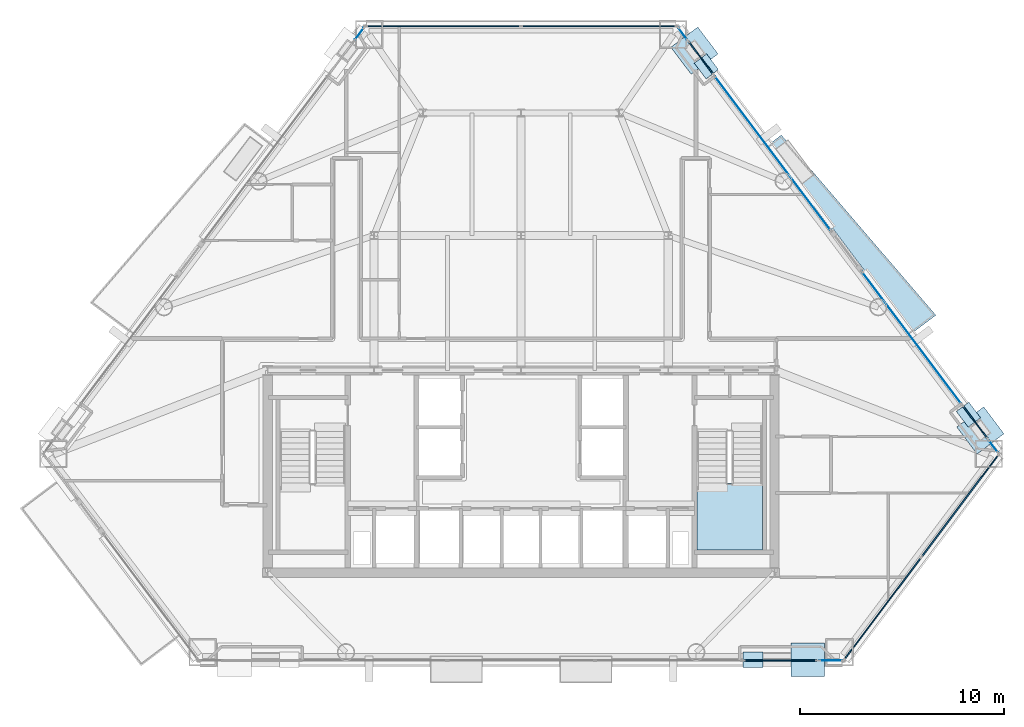
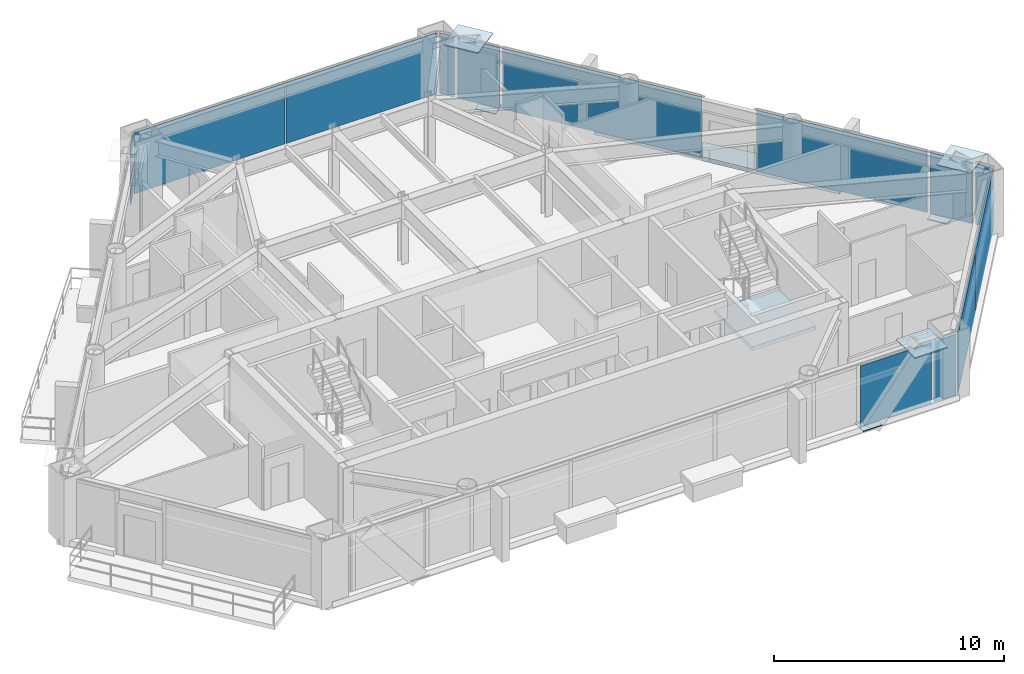
# One storey, part 8 of 14: 19 plates, 2 slabs, 12 elements without a shape of their own.
"""IFC4 building model written with IfcOpenShell, lengths in metres."""

from ifc_helpers import new_model, si_unit, direction, frame, origin, origin_2d, place, context, subcontext, project, spatial, polyline, rectangle, outline, extrude, source, transform, mapped, material, layer, layer_set, type_object, type_shapes, element, aggregate, save


model = new_model("IFC4")

# Units and contexts
model_context = context("Model", 3, precision=1e-05, world=origin(), true_north=direction((0.0, 1.0)))
body_context = subcontext(model_context, "Body", "Model", "MODEL_VIEW")
ifc_project = project(units=[si_unit("LENGTHUNIT", "METRE"), si_unit("AREAUNIT", "SQUARE_METRE"), si_unit("VOLUMEUNIT", "CUBIC_METRE"), si_unit("PLANEANGLEUNIT", "RADIAN"), si_unit("MASSUNIT", "GRAM", prefix="KILO")], contexts=[model_context])

# Site, building, storey
site_placement = place(None, origin())
site = spatial("IfcSite", under=ifc_project, at=site_placement, CompositionType="ELEMENT")
building_placement = place(site_placement, origin())
building = spatial("IfcBuilding", under=site, at=building_placement, Name="Talgorran Terracotta Tower", CompositionType="ELEMENT")
storey_placement = place(building_placement, frame((0.0, 0.0, 53.10009765625)))
storey = spatial("IfcBuildingStorey", under=building, at=storey_placement, Name="L13", CompositionType="ELEMENT", Elevation=53.10009765625)

# Plates
ifc_material_1 = material(Name="Steel Grade 350 (350L0)", Category="steel")
ifc_layer_1 = layer(ifc_material_1, 0.0400390625, Name="PL_CAP_MN05")
ifc_layer_set_1 = layer_set([ifc_layer_1], Name="Steel Grade 350 (350L0)")
plate_type_1 = type_object("IfcPlateType", Name="PL_CAP_MN05", PredefinedType="USERDEFINED", material=ifc_layer_set_1)
for number, where, z_axis, x_axis, name in (
    (1, (11.3466796875, -18.35107421875, -0.010009765625), (0.0, 0.0, 1.0), (1.0, 0.0, 0.0), "L13 Diagonal Frame End Cap SEF Bot"),
    (2, (21.889892578125, -6.365478515625, -0.010009765625), (0.0, 0.0, 1.0), (0.6013967761, -0.798950510167, 0.0), "L13 Diagonal Frame End Cap NEL Bot"),
    (3, (9.0634765625, 10.67236328125, -0.010009765625), (0.0, 0.0, 1.0), (-0.6013967761, 0.798950510167, 0.0), "L13 Diagonal Frame End Cap NEU Bot"),
):
    element("IfcPlate", number, at=place(storey_placement, frame(where, z_axis=z_axis, x_axis=x_axis)), inside=storey, type_object=plate_type_1, Name=name, ObjectType="CAP PLATE", PredefinedType="USERDEFINED", context=body_context, shape_type="SweptSolid", body=[
        extrude(rectangle(XDim=0.9599609375, YDim=0.760009765625, at=origin_2d()), origin(), (0.0, 0.0, 1.0), 0.0400390625),
    ])
ifc_layer_2 = layer(ifc_material_1, 0.06005859375, Name="PL_NODE_MN01")
ifc_layer_set_2 = layer_set([ifc_layer_2], Name="Steel Grade 350 (350L0)")
plate_type_2 = type_object("IfcPlateType", Name="PL_NODE_MN01", PredefinedType="USERDEFINED", material=ifc_layer_set_2)
for number, where, z_axis, x_axis, name in (
    (4, (14.025634765625, -18.35107421875, 3.309814453125), (0.0, 0.0, 1.0), (1.0, 0.0, 0.0), "L13 Diagonal Frame End Cap SEF Top"),
    (5, (22.471435546875, -7.13818359375, 3.309814453125), (0.0, 0.0, 1.0), (0.6013967761, -0.798950510167, 0.0), "L13 Diagonal Frame End Cap NEL Top"),
    (6, (8.481689453125, 11.44482421875, 3.309814453125), (0.0, 0.0, 1.0), (-0.6013967761, 0.798950510167, 0.0), "L13 Diagonal Frame End Cap NEU Top"),
):
    element("IfcPlate", number, at=place(storey_placement, frame(where, z_axis=z_axis, x_axis=x_axis)), inside=storey, type_object=plate_type_2, Name=name, ObjectType="NODE PLATE", PredefinedType="USERDEFINED", context=body_context, shape_type="SweptSolid", body=[
        extrude(rectangle(XDim=1.64990234375, YDim=1.64990234375, at=origin_2d()), origin(), (0.0, 0.0, 1.0), 0.06005859375),
    ])

# Slab
ifc_material_2 = material(Name="Concrete C40/50", Category="concrete")
ifc_layer_3 = layer(ifc_material_2, 0.219970703125, Name="SL_BALCONY_220")
ifc_layer_set_3 = layer_set([ifc_layer_3], Name="Concrete C40/50")
slab_type_1 = type_object("IfcSlabType", Name="SL_BALCONY_220", PredefinedType="FLOOR", material=ifc_layer_set_3)
slab_1_placement = place(storey_placement, frame((0.0, 0.0, -0.22021484375)))
element("IfcSlab", 7, at=slab_1_placement, inside=storey, type_object=slab_type_1, Name="L13 Outdoor Wave Balcony BAL-NE", PredefinedType="FLOOR", context=body_context, shape_type="SweptSolid", body=[
    extrude(outline(polyline([(12.14404296875, 6.87109375), (19.11328125, -2.386474609375), (20.291015625, -1.499755859375), (12.730224609375, 7.3125), (12.14404296875, 6.87109375)])), origin(), (0.0, 0.0, 1.0), 0.22021484375),
])

# Stair, slab
stair_type = type_object("IfcStairType", Name="ST_FIRE_SCISSOR", PredefinedType="HALF_TURN_STAIR", material=ifc_material_2)
stair_placement = place(storey_placement, origin())
stair = element("IfcStair", 8, at=stair_placement, inside=storey, type_object=stair_type, Name="L13 East Protected Fire Stair ST-02", PredefinedType="HALF_TURN_STAIR")
ifc_layer_4 = layer(ifc_material_2, 0.199951171875, Name="SL_LANDING_200")
ifc_layer_set_4 = layer_set([ifc_layer_4], Name="Concrete C40/50")
slab_type_2 = type_object("IfcSlabType", Name="SL_LANDING_200", PredefinedType="LANDING", material=ifc_layer_set_4)
slab_2_placement = place(storey_placement, frame((0.0, 0.0, 1.599853515625)))
slab_2 = element("IfcSlab", 9, at=slab_2_placement, type_object=slab_type_2, Name="ST-02 landing 1", PredefinedType="LANDING", context=body_context, shape_type="SweptSolid", body=[
    extrude(outline(polyline([(8.60009765625, -9.719970703125), (8.60009765625, -13.0), (11.800048828125, -13.0), (11.800048828125, -9.719970703125), (8.60009765625, -9.719970703125)])), origin(), (0.0, 0.0, 1.0), 0.199951171875),
])
aggregate(stair, [slab_2])

# Curtain wall, plate
ifc_material_3 = material(Name="Unitised Low-E Double Glazing", Category="glass")
ifc_layer_5 = layer(ifc_material_3, 0.199951171875, Name="CW_SYS2_RES_LOW")
ifc_layer_set_5 = layer_set([ifc_layer_5], Name="Unitised Low-E Double Glazing")
curtain_wall_type = type_object("IfcCurtainWallType", Name="CW_SYS2_RES_LOW", PredefinedType="NOTDEFINED", material=ifc_layer_set_5)
curtain_wall_1_placement = place(storey_placement, origin())
curtain_wall_1 = element("IfcCurtainWall", 10, at=curtain_wall_1_placement, inside=storey, type_object=curtain_wall_type, Name="CW-L13-F1E", PredefinedType="NOTDEFINED")
ifc_material_4 = material(Name="Low-E Laminated Vision Glass", Category="glass")
ifc_layer_6 = layer(ifc_material_4, 0.028076171875, Name="PLT_VISION_28")
ifc_layer_set_6 = layer_set([ifc_layer_6], Name="Low-E Laminated Vision Glass")
plate_type_3 = type_object("IfcPlateType", Name="PLT_VISION_28", PredefinedType="CURTAIN_PANEL", material=ifc_layer_set_6)
shared_shape_1 = source(origin(), body_context, "Body", "SweptSolid", [
    extrude(rectangle(XDim=1.114990234375, YDim=0.028076171875, at=origin_2d()), origin(), (0.0, 0.0, 1.0), 3.219970703125),
])
plate_1_placement = place(storey_placement, frame((15.15673828125, -18.39111328125, 0.06494140625), z_axis=(0.0, 0.0, 1.0), x_axis=(1.0, 0.0, 0.0)))
plate_1 = element("IfcPlate", 11, at=plate_1_placement, type_object=plate_type_3, Name="CW-L13-1E panel 1.1", PredefinedType="CURTAIN_PANEL", context=body_context, shape_type="MappedRepresentation", body=[
    mapped(shared_shape_1, transform((0.0, 0.0, 0.0), scale=1.0)),
])
aggregate(curtain_wall_1, [plate_1])

curtain_wall_2_placement = place(storey_placement, origin())
curtain_wall_2 = element("IfcCurtainWall", 12, at=curtain_wall_2_placement, inside=storey, type_object=curtain_wall_type, Name="CW-L13-F1D", PredefinedType="NOTDEFINED")
ifc_material_5 = material(Name="Terracotta Insulated Spandrel", Category="masonry")
ifc_layer_7 = layer(ifc_material_5, 0.06494140625, Name="PLT_SPANDREL_TERRA")
ifc_layer_set_7 = layer_set([ifc_layer_7], Name="Terracotta Insulated Spandrel")
plate_type_4 = type_object("IfcPlateType", Name="PLT_SPANDREL_TERRA", PredefinedType="SHEET", material=ifc_layer_set_7)
shared_shape_2 = source(origin(), body_context, "Body", "SweptSolid", [
    extrude(rectangle(XDim=3.546142578125, YDim=0.06494140625, at=origin_2d()), origin(), (0.0, 0.0, 1.0), 3.219970703125),
])
plate_2_placement = place(storey_placement, frame((12.68603515625, -18.39111328125, 0.06494140625), z_axis=(0.0, 0.0, 1.0), x_axis=(1.0, 0.0, 0.0)))
plate_2 = element("IfcPlate", 13, at=plate_2_placement, type_object=plate_type_4, Name="CW-L13-1D panel 1.1", PredefinedType="CURTAIN_PANEL", context=body_context, shape_type="MappedRepresentation", body=[
    mapped(shared_shape_2, transform((0.0, 0.0, 0.0), scale=1.0)),
])
aggregate(curtain_wall_2, [plate_2])

# Curtain wall, plates
curtain_wall_3_placement = place(storey_placement, origin())
curtain_wall_3 = element("IfcCurtainWall", 14, at=curtain_wall_3_placement, inside=storey, type_object=curtain_wall_type, Name="CW-L13-F2", PredefinedType="NOTDEFINED")
shared_shape_3 = source(origin(), body_context, "Body", "SweptSolid", [
    extrude(rectangle(XDim=6.226318359375, YDim=0.06494140625, at=origin_2d()), origin(), (0.0, 0.0, 1.0), 3.219970703125),
])
plate_3_placement = place(storey_placement, frame((17.690673828125, -15.85205078125, 0.06494140625), z_axis=(0.0, 0.0, 1.0), x_axis=(0.601442440957, 0.798916134657, 0.0)))
plate_3 = element("IfcPlate", 15, at=plate_3_placement, type_object=plate_type_4, Name="CW-L13-2 panel 1.1", PredefinedType="CURTAIN_PANEL", context=body_context, shape_type="MappedRepresentation", body=[
    mapped(shared_shape_3, transform((0.0, 0.0, 0.0), scale=1.0)),
])
plate_4_placement = place(storey_placement, frame((21.474609375, -10.82568359375, 0.06494140625), z_axis=(0.0, 0.0, 1.0), x_axis=(0.601442440957, 0.798916134657, 0.0)))
plate_4 = element("IfcPlate", 16, at=plate_4_placement, type_object=plate_type_4, Name="CW-L13-2 panel 2.1", PredefinedType="CURTAIN_PANEL", context=body_context, shape_type="MappedRepresentation", body=[
    mapped(shared_shape_3, transform((0.0, 0.0, 0.0), scale=1.0)),
])
aggregate(curtain_wall_3, [plate_3, plate_4])

# Curtain wall, plate
curtain_wall_4_placement = place(storey_placement, origin())
curtain_wall_4 = element("IfcCurtainWall", 17, at=curtain_wall_4_placement, inside=storey, type_object=curtain_wall_type, Name="CW-L13-F40", PredefinedType="NOTDEFINED")
shared_shape_4 = source(origin(), body_context, "Body", "SweptSolid", [
    extrude(rectangle(XDim=0.709716796875, YDim=0.028076171875, at=origin_2d()), origin(), (0.0, 0.0, 1.0), 3.219970703125),
])
plate_5_placement = place(storey_placement, frame((23.109375, -7.919189453125, 0.06494140625), z_axis=(0.0, 0.0, 1.0), x_axis=(-0.601447254192, 0.798912511121, 0.0)))
plate_5 = element("IfcPlate", 18, at=plate_5_placement, type_object=plate_type_3, Name="CW-L13-40 panel 1.1", PredefinedType="CURTAIN_PANEL", context=body_context, shape_type="MappedRepresentation", body=[
    mapped(shared_shape_4, transform((0.0, 0.0, 0.0), scale=1.0)),
])
aggregate(curtain_wall_4, [plate_5])

curtain_wall_5_placement = place(storey_placement, origin())
curtain_wall_5 = element("IfcCurtainWall", 19, at=curtain_wall_5_placement, inside=storey, type_object=curtain_wall_type, Name="CW-L13-F40B", PredefinedType="NOTDEFINED")
shared_shape_5 = source(origin(), body_context, "Body", "SweptSolid", [
    extrude(rectangle(XDim=1.99267578125, YDim=0.06494140625, at=origin_2d()), origin(), (0.0, 0.0, 1.0), 3.219970703125),
])
plate_6_placement = place(storey_placement, frame((22.212646484375, -6.727783203125, 0.06494140625), z_axis=(0.0, 0.0, 1.0), x_axis=(-0.601438674906, 0.798918969813, 0.0)))
plate_6 = element("IfcPlate", 20, at=plate_6_placement, type_object=plate_type_4, Name="CW-L13-40B panel 1.1", PredefinedType="CURTAIN_PANEL", context=body_context, shape_type="MappedRepresentation", body=[
    mapped(shared_shape_5, transform((0.0, 0.0, 0.0), scale=1.0)),
])
aggregate(curtain_wall_5, [plate_6])

curtain_wall_6_placement = place(storey_placement, origin())
curtain_wall_6 = element("IfcCurtainWall", 21, at=curtain_wall_6_placement, inside=storey, type_object=curtain_wall_type, Name="CW-L13-F41B", PredefinedType="NOTDEFINED")
plate_7_placement = place(storey_placement, frame((8.804443359375, 11.082763671875, 0.06494140625), z_axis=(0.0, 0.0, 1.0), x_axis=(-0.601438674906, 0.798918969813, 0.0)))
plate_7 = element("IfcPlate", 22, at=plate_7_placement, type_object=plate_type_4, Name="CW-L13-41B panel 1.1", PredefinedType="CURTAIN_PANEL", context=body_context, shape_type="MappedRepresentation", body=[
    mapped(shared_shape_5, transform((0.0, 0.0, 0.0), scale=1.0)),
])
aggregate(curtain_wall_6, [plate_7])

curtain_wall_7_placement = place(storey_placement, origin())
curtain_wall_7 = element("IfcCurtainWall", 23, at=curtain_wall_7_placement, inside=storey, type_object=curtain_wall_type, Name="CW-L13-F40C", PredefinedType="NOTDEFINED")
shared_shape_6 = source(origin(), body_context, "Body", "SweptSolid", [
    extrude(rectangle(XDim=8.043212890625, YDim=0.028076171875, at=origin_2d()), origin(), (0.0, 0.0, 1.0), 3.219970703125),
])
plate_8_placement = place(storey_placement, frame((19.1103515625, -2.60693359375, 0.06494140625), z_axis=(0.0, 0.0, 1.0), x_axis=(-0.601441789604, 0.79891662501, 0.0)))
plate_8 = element("IfcPlate", 24, at=plate_8_placement, type_object=plate_type_3, Name="CW-L13-40C panel 1.1", PredefinedType="CURTAIN_PANEL", context=body_context, shape_type="MappedRepresentation", body=[
    mapped(shared_shape_6, transform((0.0, 0.0, 0.0), scale=1.0)),
])
aggregate(curtain_wall_7, [plate_8])

curtain_wall_8_placement = place(storey_placement, origin())
curtain_wall_8 = element("IfcCurtainWall", 25, at=curtain_wall_8_placement, inside=storey, type_object=curtain_wall_type, Name="CW-L13-F41", PredefinedType="NOTDEFINED")
shared_shape_7 = source(origin(), body_context, "Body", "SweptSolid", [
    extrude(rectangle(XDim=9.387451171875, YDim=0.028076171875, at=origin_2d()), origin(), (0.0, 0.0, 1.0), 3.219970703125),
])
plate_9_placement = place(storey_placement, frame((12.31103515625, 6.4248046875, 0.06494140625), z_axis=(0.0, 0.0, 1.0), x_axis=(-0.601438084499, 0.79891941428, 0.0)))
plate_9 = element("IfcPlate", 26, at=plate_9_placement, type_object=plate_type_3, Name="CW-L13-41 panel 1.1", PredefinedType="CURTAIN_PANEL", context=body_context, shape_type="MappedRepresentation", body=[
    mapped(shared_shape_7, transform((0.0, 0.0, 0.0), scale=1.0)),
])
aggregate(curtain_wall_8, [plate_9])

curtain_wall_9_placement = place(storey_placement, origin())
curtain_wall_9 = element("IfcCurtainWall", 27, at=curtain_wall_9_placement, inside=storey, type_object=curtain_wall_type, Name="CW-L13-F41C", PredefinedType="NOTDEFINED")
shared_shape_8 = source(origin(), body_context, "Body", "SweptSolid", [
    extrude(rectangle(XDim=0.699462890625, YDim=0.028076171875, at=origin_2d()), origin(), (0.0, 0.0, 1.0), 3.219970703125),
])
type_shapes(plate_type_3, [shared_shape_1, shared_shape_4, shared_shape_6, shared_shape_7, shared_shape_8])
plate_10_placement = place(storey_placement, frame((7.91064453125, 12.27001953125, 0.06494140625), z_axis=(0.0, 0.0, 1.0), x_axis=(-0.601445671238, 0.798913702818, 0.0)))
plate_10 = element("IfcPlate", 28, at=plate_10_placement, type_object=plate_type_3, Name="CW-L13-41C panel 1.1", PredefinedType="CURTAIN_PANEL", context=body_context, shape_type="MappedRepresentation", body=[
    mapped(shared_shape_8, transform((0.0, 0.0, 0.0), scale=1.0)),
])
aggregate(curtain_wall_9, [plate_10])

curtain_wall_10_placement = place(storey_placement, origin())
curtain_wall_10 = element("IfcCurtainWall", 29, at=curtain_wall_10_placement, inside=storey, type_object=curtain_wall_type, Name="CW-L13-F60", PredefinedType="NOTDEFINED")
plate_11_placement = place(storey_placement, frame((-7.91064453125, 12.27001953125, 0.06494140625), z_axis=(0.0, 0.0, 1.0), x_axis=(-0.601445671238, -0.798913702818, 0.0)))
plate_11 = element("IfcPlate", 30, at=plate_11_placement, type_object=plate_type_3, Name="CW-L13-60 panel 1.1", PredefinedType="CURTAIN_PANEL", context=body_context, shape_type="MappedRepresentation", body=[
    mapped(shared_shape_8, transform((0.0, 0.0, 0.0), scale=1.0)),
])
aggregate(curtain_wall_10, [plate_11])

# Curtain wall, plates
curtain_wall_11_placement = place(storey_placement, origin())
curtain_wall_11 = element("IfcCurtainWall", 31, at=curtain_wall_11_placement, inside=storey, type_object=curtain_wall_type, Name="CW-L13-F4", PredefinedType="NOTDEFINED")
shared_shape_9 = source(origin(), body_context, "Body", "SweptSolid", [
    extrude(rectangle(XDim=7.539794921875, YDim=0.06494140625, at=origin_2d()), origin(), (0.0, 0.0, 1.0), 3.219970703125),
])
type_shapes(plate_type_4, [shared_shape_2, shared_shape_3, shared_shape_5, shared_shape_9])
plate_12_placement = place(storey_placement, frame((3.80224609375, 12.63330078125, 0.06494140625), z_axis=(0.0, 0.0, 1.0), x_axis=(-1.0, 0.0, 0.0)))
plate_12 = element("IfcPlate", 32, at=plate_12_placement, type_object=plate_type_4, Name="CW-L13-4 panel 1.1", PredefinedType="CURTAIN_PANEL", context=body_context, shape_type="MappedRepresentation", body=[
    mapped(shared_shape_9, transform((0.0, 0.0, 0.0), scale=1.0)),
])
plate_13_placement = place(storey_placement, frame((-3.80224609375, 12.63330078125, 0.06494140625), z_axis=(0.0, 0.0, 1.0), x_axis=(-1.0, 0.0, 0.0)))
plate_13 = element("IfcPlate", 33, at=plate_13_placement, type_object=plate_type_4, Name="CW-L13-4 panel 2.1", PredefinedType="CURTAIN_PANEL", context=body_context, shape_type="MappedRepresentation", body=[
    mapped(shared_shape_9, transform((0.0, 0.0, 0.0), scale=1.0)),
])
aggregate(curtain_wall_11, [plate_12, plate_13])

save(model, "model.ifc")
